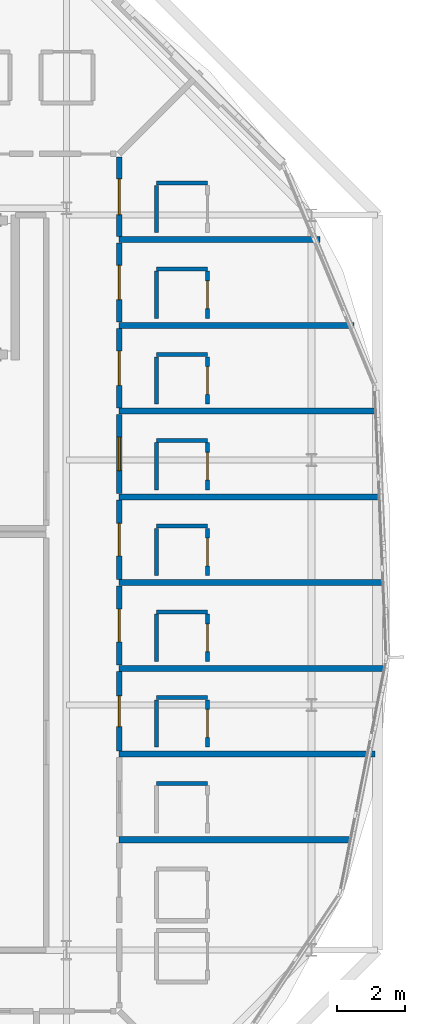
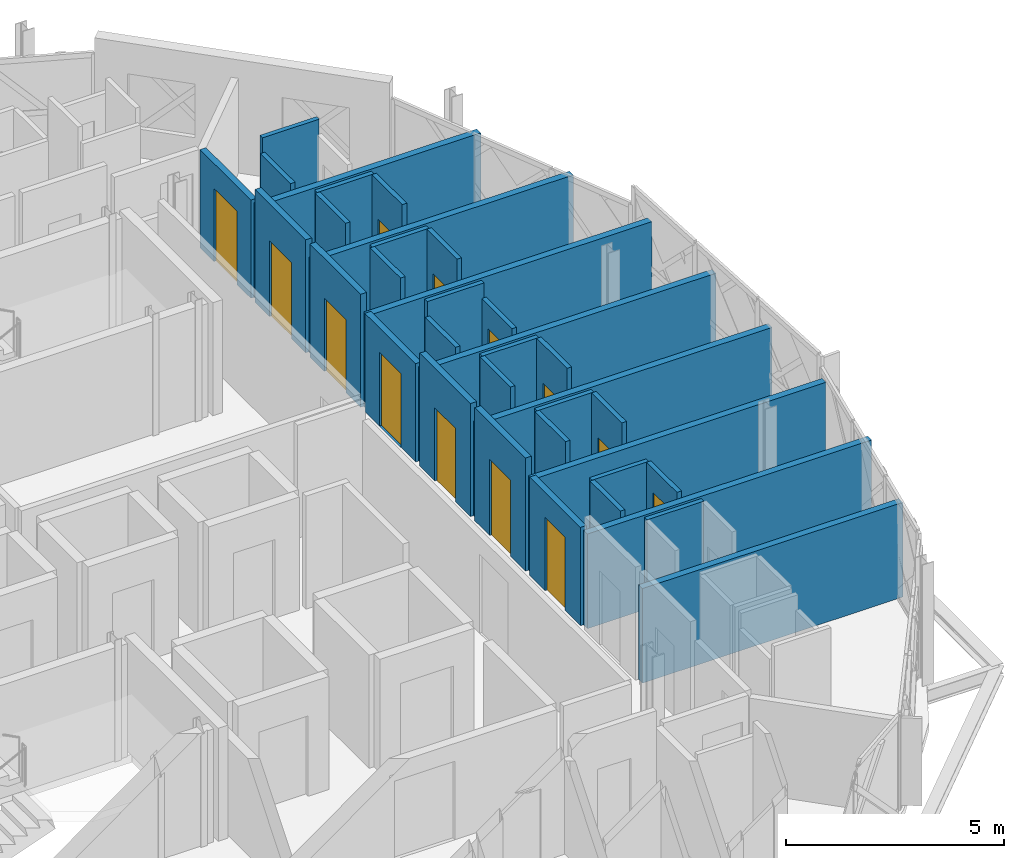
# One storey, part 17 of 24: 36 walls, 13 doors, 13 openings.
"""IFC4 building model written with IfcOpenShell, lengths in metres."""

import ifcopenshell
import ifcopenshell.guid

model = None  # the IFC model being written
_history = None  # IfcOwnerHistory: only IFC2X3 demands one
_inside = {}  # id of a spatial element -> (the spatial element, [elements in it])
_under = {}  # id of a project, library or spatial element -> (it, [spatial elements below it])
_declared = {}  # id of a project -> (the project, [libraries it declares])
_typed = {}  # id of a type object -> (the type object, [elements of that type])
_made_of = {}  # id of a material, layer set ... -> (it, [elements and type objects made of it])


def new_model(schema):
    """Start an empty IFC model of exactly this schema.

    Asked for "IFC4X3", IfcOpenShell would pick the latest addendum, in which some entities
    have other attributes; the version numbers below select the first issue.
    IFC2X3 requires an IfcOwnerHistory on every rooted entity: one is made here for all.
    """
    global model, _history
    if schema == "IFC4X3":
        model = ifcopenshell.file(schema_version=(4, 3, 0, 0))
    else:
        model = ifcopenshell.file(schema=schema)
    _inside.clear()
    _under.clear()
    _declared.clear()
    _typed.clear()
    _made_of.clear()
    _history = None
    if model.schema == "IFC2X3":
        org = make("IfcOrganization", Name="unknown")
        user = make(
            "IfcPersonAndOrganization",
            ThePerson=make("IfcPerson", FamilyName="unknown"),
            TheOrganization=org,
        )
        app = make(
            "IfcApplication",
            ApplicationDeveloper=org,
            Version="unknown",
            ApplicationFullName="unknown",
            ApplicationIdentifier="unknown",
        )
        _history = make(
            "IfcOwnerHistory",
            OwningUser=user,
            OwningApplication=app,
            ChangeAction="ADDED",
            CreationDate=0,
        )
    return model


def make(cls, **values):
    """One entity of the class cls with the attributes given. An attribute that is None is left unset."""
    return model.create_entity(
        cls, **{name: value for name, value in values.items() if value is not None}
    )


def rooted(cls, **values):
    """An entity with a GlobalId (a new one), such as an element, a storey or a relation."""
    return make(cls, GlobalId=ifcopenshell.guid.new(), OwnerHistory=_history, **values)


def si_unit(unit_type, name, prefix=None):
    """IfcSIUnit, for example si_unit("LENGTHUNIT", "METRE", prefix="MILLI")."""
    return make("IfcSIUnit", UnitType=unit_type, Prefix=prefix, Name=name)


def assignment(units):
    """IfcUnitAssignment: the units of a project."""
    return None if units is None else make("IfcUnitAssignment", Units=units)


def point(xyz):
    """IfcCartesianPoint."""
    return None if xyz is None else make("IfcCartesianPoint", Coordinates=xyz)


def direction(xyz):
    """IfcDirection."""
    return None if xyz is None else make("IfcDirection", DirectionRatios=xyz)


def frame(location, z_axis=None, x_axis=None):
    """IfcAxis2Placement3D, a coordinate frame: its origin and axes. An axis left out is left unset."""
    return make(
        "IfcAxis2Placement3D",
        Location=point(location),
        Axis=direction(z_axis),
        RefDirection=direction(x_axis),
    )


def frame_2d(location, x_axis=None):
    """IfcAxis2Placement2D, a coordinate frame in the plane: its origin and x axis."""
    return make(
        "IfcAxis2Placement2D", Location=point(location), RefDirection=direction(x_axis)
    )


def origin():
    """The frame at (0, 0, 0) with its axes left unset."""
    return frame((0.0, 0.0, 0.0))


def place(relative_to, where):
    """IfcLocalPlacement: puts the frame where relative to a parent placement (None: the world)."""
    return make(
        "IfcLocalPlacement", PlacementRelTo=relative_to, RelativePlacement=where
    )


def context(
    kind, dimensions, precision=None, world=None, true_north=None, identifier=None
):
    """IfcGeometricRepresentationContext, for example the 3D "Model" context."""
    return make(
        "IfcGeometricRepresentationContext",
        ContextIdentifier=identifier,
        ContextType=kind,
        CoordinateSpaceDimension=dimensions,
        Precision=precision,
        WorldCoordinateSystem=world,
        TrueNorth=true_north,
    )


def subcontext(parent, identifier, kind, view, scale=None):
    """IfcGeometricRepresentationSubContext, for example "Body" below "Model"."""
    return make(
        "IfcGeometricRepresentationSubContext",
        ContextIdentifier=identifier,
        ContextType=kind,
        ParentContext=parent,
        TargetScale=scale,
        TargetView=view,
    )


def project(units=None, contexts=None):
    """IfcProject with its units and contexts."""
    return rooted(
        "IfcProject",
        Name="project",
        RepresentationContexts=contexts,
        UnitsInContext=assignment(units),
    )


def spatial(cls, under=None, at=None, **own):
    """A site, building, storey or space (cls), placed at a placement, below another one or the project."""
    s = rooted(cls, ObjectPlacement=at, **own)
    if under is not None:
        _under.setdefault(under.id(), (under, []))[1].append(s)
    return s


def profile(cls, at=None, kind="AREA", **sizes):
    """A parametric profile (cls). Its sizes go by their IFC names, for example OverallWidth=200.0."""
    return make(cls, ProfileType=kind, Position=at, **sizes)


def rectangle(**sizes):
    """IfcRectangleProfileDef."""
    return profile("IfcRectangleProfileDef", **sizes)


def extrude(swept, where, along, depth):
    """IfcExtrudedAreaSolid: the profile swept, set in the frame where, extruded along a direction by depth."""
    return make(
        "IfcExtrudedAreaSolid",
        SweptArea=swept,
        Position=where,
        ExtrudedDirection=direction(along),
        Depth=depth,
    )


def shape(context_of_items, identifier, shape_type, items):
    """IfcShapeRepresentation: the items that make up one representation, for example the "Body"."""
    return make(
        "IfcShapeRepresentation",
        ContextOfItems=context_of_items,
        RepresentationIdentifier=identifier,
        RepresentationType=shape_type,
        Items=items,
    )


def material(Name=None, Category=None):
    """IfcMaterial."""
    return make("IfcMaterial", Name=Name, Category=Category)


def layer(
    of_material, thickness, ventilated=None, Name=None, Category=None, Priority=None
):
    """IfcMaterialLayer: one layer of a wall or slab, of a material (None: an air gap)."""
    return make(
        "IfcMaterialLayer",
        Material=of_material,
        LayerThickness=thickness,
        IsVentilated=ventilated,
        Name=Name,
        Category=Category,
        Priority=Priority,
    )


def layer_set(layers, Name=None):
    """IfcMaterialLayerSet."""
    return make("IfcMaterialLayerSet", MaterialLayers=layers, LayerSetName=Name)


def made_of(thing, what):
    """Note that an element or type object is made of a material, layer set ...; save() writes the relation."""
    if what is not None:
        _made_of.setdefault(what.id(), (what, []))[1].append(thing)
    return thing


def type_object(cls, material=None, **own):
    """A type object (cls), such as IfcWallType, which elements share."""
    return made_of(rooted(cls, **own), material)


def element(
    cls,
    number,
    at=None,
    inside=None,
    cuts=None,
    type_object=None,
    material=None,
    context=None,
    identifier="Body",
    shape_type=None,
    held_by="IfcProductDefinitionShape",
    body=None,
    shapes=None,
    **own,
):
    """One element of the class cls, such as IfcWall. Its Tag is "e" and its number.

    at: its placement. inside: the storey or other place that contains it. cuts: it is an
    opening in that element (IfcRelVoidsElement). A single representation is given by context,
    identifier, shape_type and body (its items); several are given by shapes. held_by: the class
    of the entity that holds the representations. save() writes the other relations.
    """
    e = rooted(cls, Tag="e%d" % number, ObjectPlacement=at, **own)
    if body is not None:
        shapes = [shape(context, identifier, shape_type, body)]
    if shapes is not None:
        e.Representation = make(held_by, Representations=shapes)
    if inside is not None:
        _inside.setdefault(inside.id(), (inside, []))[1].append(e)
    if cuts is not None:
        rooted(
            "IfcRelVoidsElement", RelatingBuildingElement=cuts, RelatedOpeningElement=e
        )
    if type_object is not None:
        _typed.setdefault(type_object.id(), (type_object, []))[1].append(e)
    return made_of(e, material)


def fill(opening, filler):
    """IfcRelFillsElement: the door or window that sits in an opening."""
    return rooted(
        "IfcRelFillsElement",
        RelatingOpeningElement=opening,
        RelatedBuildingElement=filler,
    )


def aggregate(whole, parts):
    """IfcRelAggregates: a whole, such as a stair, and the parts it consists of."""
    return rooted("IfcRelAggregates", RelatingObject=whole, RelatedObjects=parts)


def save(model, path):
    """Write the relations noted so far, then the file.

    IfcRelAggregates (storeys below a building ...), IfcRelContainedInSpatialStructure (elements
    in a storey), IfcRelDefinesByType, IfcRelAssociatesMaterial and IfcRelDeclares: one each for
    every whole, place, type object, material and project.
    """
    for whole, parts in _under.values():
        aggregate(whole, parts)
    for where, things in _inside.values():
        rooted(
            "IfcRelContainedInSpatialStructure",
            RelatedElements=things,
            RelatingStructure=where,
        )
    for kind, things in _typed.values():
        rooted("IfcRelDefinesByType", RelatedObjects=things, RelatingType=kind)
    for what, things in _made_of.values():
        rooted("IfcRelAssociatesMaterial", RelatedObjects=things, RelatingMaterial=what)
    for by, libraries in _declared.values():
        rooted("IfcRelDeclares", RelatingContext=by, RelatedDefinitions=libraries)
    model.write(path)


model = new_model("IFC4")

# Units and contexts
model_context = context("Model", 3, precision=1e-05, world=origin(), true_north=direction((0.0, 1.0)))
body_context = subcontext(model_context, "Body", "Model", "MODEL_VIEW")
ifc_project = project(units=[si_unit("LENGTHUNIT", "METRE"), si_unit("AREAUNIT", "SQUARE_METRE"), si_unit("VOLUMEUNIT", "CUBIC_METRE"), si_unit("PLANEANGLEUNIT", "RADIAN"), si_unit("MASSUNIT", "GRAM", prefix="KILO")], contexts=[model_context])

# Site, building, storey
site_placement = place(None, origin())
site = spatial("IfcSite", under=ifc_project, at=site_placement, CompositionType="ELEMENT")
building_placement = place(site_placement, origin())
building = spatial("IfcBuilding", under=site, at=building_placement, Name="Zevrakil Square Congress Hotel", CompositionType="ELEMENT")
storey_placement = place(building_placement, frame((0.0, 0.0, 35.10009765625)))
storey = spatial("IfcBuildingStorey", under=building, at=storey_placement, Name="L10", CompositionType="ELEMENT", Elevation=35.10009765625)

# Wall, opening, door
ifc_material_1 = material(Name="Gypsum Acoustic Stud Partition")
ifc_layer_1 = layer(ifc_material_1, 0.159912109375)
ifc_layer_set_1 = layer_set([ifc_layer_1], Name="Gypsum Acoustic Stud Partition")
wall_type_1 = type_object("IfcWallType", Name="WAL-CORR-160", PredefinedType="PARTITIONING", material=ifc_layer_set_1)
wall_1_placement = place(storey_placement, frame((157.550048828125, 22.655029296875, 0.0), z_axis=(0.0, 0.0, 1.0), x_axis=(0.0, 1.0, 0.0)))
wall_1 = element("IfcWall", 1, at=wall_1_placement, inside=storey, type_object=wall_type_1, Name="L10 interior partition PW-L10-1641", PredefinedType="PARTITIONING", context=body_context, shape_type="SweptSolid", body=[
    extrude(rectangle(XDim=2.330078125, YDim=0.159912109375, at=frame_2d((1.1650390625, 0.0))), origin(), (0.0, 0.0, 1.0), 2.75),
])
opening_1_placement = place(wall_1_placement, frame((0.71240234375, 0.0, 0.0)))
opening_1 = element("IfcOpeningElement", 2, at=opening_1_placement, cuts=wall_1, Name="Opening ID-G03", PredefinedType="OPENING", context=body_context, shape_type="SweptSolid", body=[
    extrude(rectangle(XDim=0.905029296875, YDim=2.050048828125, at=frame_2d((0.45263671875, 1.02490234375))), frame((0.0, 0.08984375, 0.0), z_axis=(0.0, -1.0, 0.0), x_axis=(1.0, 0.0, 0.0)), (0.0, 0.0, 1.0), 0.179931640625),
])
ifc_material_2 = material(Name="Acoustic Timber Fire Door", Category="wood")
door_type_1 = type_object("IfcDoorType", Name="DOR-INT-G03", OperationType="NOTDEFINED", PredefinedType="DOOR", material=ifc_material_2)
door_1_placement = place(opening_1_placement, origin())
door_1 = element("IfcDoor", 3, at=door_1_placement, inside=storey, type_object=door_type_1, Name="L10 interior door 637", OperationType="SINGLE_SWING_LEFT", OverallHeight=2.050048828125, OverallWidth=0.905029296875, PredefinedType="DOOR", context=body_context, shape_type="SweptSolid", body=[
    extrude(rectangle(XDim=0.905029296875, YDim=2.050048828125, at=frame_2d((0.45263671875, 1.02490234375))), frame((0.0, 0.02490234375, 0.0), z_axis=(0.0, -1.0, 0.0), x_axis=(1.0, 0.0, 0.0)), (0.0, 0.0, 1.0), 0.050048828125),
])
fill(opening_1, door_1)

wall_2_placement = place(storey_placement, frame((157.550048828125, 25.175048828125, 0.0), z_axis=(0.0, 0.0, 1.0), x_axis=(0.0, 1.0, 0.0)))
wall_2 = element("IfcWall", 4, at=wall_2_placement, inside=storey, type_object=wall_type_1, Name="L10 interior partition PW-L10-1646", PredefinedType="PARTITIONING", context=body_context, shape_type="SweptSolid", body=[
    extrude(rectangle(XDim=2.329833984375, YDim=0.159912109375, at=frame_2d((1.1650390625, 0.0))), origin(), (0.0, 0.0, 1.0), 3.164794921875),
])
opening_2_placement = place(wall_2_placement, frame((0.68505859375, 0.0, 0.0)))
opening_2 = element("IfcOpeningElement", 5, at=opening_2_placement, cuts=wall_2, Name="Opening ID-H10", PredefinedType="OPENING", context=body_context, shape_type="SweptSolid", body=[
    extrude(rectangle(XDim=0.9599609375, YDim=2.1298828125, at=frame_2d((0.47998046875, 1.06494140625))), frame((0.0, 0.08984375, 0.0), z_axis=(0.0, -1.0, 0.0), x_axis=(1.0, 0.0, 0.0)), (0.0, 0.0, 1.0), 0.179931640625),
])
ifc_material_3 = material(Name="Acoustic Timber Fire Door", Category="wood")
door_type_2 = type_object("IfcDoorType", Name="DOR-INT-H10", OperationType="NOTDEFINED", PredefinedType="DOOR", material=ifc_material_3)
door_2_placement = place(opening_2_placement, origin())
door_2 = element("IfcDoor", 6, at=door_2_placement, inside=storey, type_object=door_type_2, Name="L10 interior door 639", OperationType="SINGLE_SWING_LEFT", OverallHeight=2.1298828125, OverallWidth=0.9599609375, PredefinedType="DOOR", context=body_context, shape_type="SweptSolid", body=[
    extrude(rectangle(XDim=0.9599609375, YDim=2.1298828125, at=frame_2d((0.47998046875, 1.06494140625))), frame((0.0, 0.02490234375, 0.0), z_axis=(0.0, -1.0, 0.0), x_axis=(1.0, 0.0, 0.0)), (0.0, 0.0, 1.0), 0.050048828125),
])
fill(opening_2, door_2)

wall_3_placement = place(storey_placement, frame((157.550048828125, 27.695068359375, 0.0), z_axis=(0.0, 0.0, 1.0), x_axis=(0.0, 1.0, 0.0)))
wall_3 = element("IfcWall", 7, at=wall_3_placement, inside=storey, type_object=wall_type_1, Name="L10 interior partition PW-L10-1651", PredefinedType="PARTITIONING", context=body_context, shape_type="SweptSolid", body=[
    extrude(rectangle(XDim=2.329833984375, YDim=0.159912109375, at=frame_2d((1.1650390625, 0.0))), origin(), (0.0, 0.0, 1.0), 3.164794921875),
])
opening_3_placement = place(wall_3_placement, frame((0.6875, 0.0, 0.0)))
opening_3 = element("IfcOpeningElement", 8, at=opening_3_placement, cuts=wall_3, Name="Opening ID-G05", PredefinedType="OPENING", context=body_context, shape_type="SweptSolid", body=[
    extrude(rectangle(XDim=0.955078125, YDim=2.050048828125, at=frame_2d((0.4775390625, 1.02490234375))), frame((0.0, 0.08984375, 0.0), z_axis=(0.0, -1.0, 0.0), x_axis=(1.0, 0.0, 0.0)), (0.0, 0.0, 1.0), 0.179931640625),
])
ifc_material_4 = material(Name="Acoustic Timber Fire Door", Category="wood")
door_type_3 = type_object("IfcDoorType", Name="DOR-INT-G05", OperationType="NOTDEFINED", PredefinedType="DOOR", material=ifc_material_4)
door_3_placement = place(opening_3_placement, origin())
door_3 = element("IfcDoor", 9, at=door_3_placement, inside=storey, type_object=door_type_3, Name="L10 interior door 641", OperationType="SINGLE_SWING_LEFT", OverallHeight=2.050048828125, OverallWidth=0.955078125, PredefinedType="DOOR", context=body_context, shape_type="SweptSolid", body=[
    extrude(rectangle(XDim=0.955078125, YDim=2.050048828125, at=frame_2d((0.4775390625, 1.02490234375))), frame((0.0, 0.02490234375, 0.0), z_axis=(0.0, -1.0, 0.0), x_axis=(1.0, 0.0, 0.0)), (0.0, 0.0, 1.0), 0.050048828125),
])
fill(opening_3, door_3)

wall_4_placement = place(storey_placement, frame((157.550048828125, 30.215087890625, 0.0), z_axis=(0.0, 0.0, 1.0), x_axis=(0.0, 1.0, 0.0)))
wall_4 = element("IfcWall", 10, at=wall_4_placement, inside=storey, type_object=wall_type_1, Name="L10 interior partition PW-L10-1656", PredefinedType="PARTITIONING", context=body_context, shape_type="SweptSolid", body=[
    extrude(rectangle(XDim=2.329833984375, YDim=0.159912109375, at=frame_2d((1.1650390625, 0.0))), origin(), (0.0, 0.0, 1.0), 2.75),
])
opening_4_placement = place(wall_4_placement, frame((0.673095703125, 0.0, 0.0)))
opening_4 = element("IfcOpeningElement", 11, at=opening_4_placement, cuts=wall_4, Name="Opening ID-H12", PredefinedType="OPENING", context=body_context, shape_type="SweptSolid", body=[
    extrude(rectangle(XDim=0.98388671875, YDim=2.070068359375, at=frame_2d((0.491943359375, 1.03515625))), frame((0.0, 0.08984375, 0.0), z_axis=(0.0, -1.0, 0.0), x_axis=(1.0, 0.0, 0.0)), (0.0, 0.0, 1.0), 0.179931640625),
])
ifc_material_5 = material(Name="Acoustic Timber Fire Door", Category="wood")
door_type_4 = type_object("IfcDoorType", Name="DOR-INT-H12", OperationType="NOTDEFINED", PredefinedType="DOOR", material=ifc_material_5)
door_4_placement = place(opening_4_placement, origin())
door_4 = element("IfcDoor", 12, at=door_4_placement, inside=storey, type_object=door_type_4, Name="L10 interior door 643", OperationType="SINGLE_SWING_LEFT", OverallHeight=2.070068359375, OverallWidth=0.98388671875, PredefinedType="DOOR", context=body_context, shape_type="SweptSolid", body=[
    extrude(rectangle(XDim=0.98388671875, YDim=2.070068359375, at=frame_2d((0.491943359375, 1.03515625))), frame((0.0, 0.02490234375, 0.0), z_axis=(0.0, -1.0, 0.0), x_axis=(1.0, 0.0, 0.0)), (0.0, 0.0, 1.0), 0.050048828125),
])
fill(opening_4, door_4)

wall_5_placement = place(storey_placement, frame((157.550048828125, 32.735107421875, 0.0), z_axis=(0.0, 0.0, 1.0), x_axis=(0.0, 1.0, 0.0)))
wall_5 = element("IfcWall", 13, at=wall_5_placement, inside=storey, type_object=wall_type_1, Name="L10 interior partition PW-L10-1661", PredefinedType="PARTITIONING", context=body_context, shape_type="SweptSolid", body=[
    extrude(rectangle(XDim=2.329833984375, YDim=0.159912109375, at=frame_2d((1.1650390625, 0.0))), origin(), (0.0, 0.0, 1.0), 3.164794921875),
])
opening_5_placement = place(wall_5_placement, frame((0.66259765625, 0.0, 0.0)))
opening_5 = element("IfcOpeningElement", 14, at=opening_5_placement, cuts=wall_5, Name="Opening ID-G07", PredefinedType="OPENING", context=body_context, shape_type="SweptSolid", body=[
    extrude(rectangle(XDim=1.0048828125, YDim=2.050048828125, at=frame_2d((0.50244140625, 1.02490234375))), frame((0.0, 0.08984375, 0.0), z_axis=(0.0, -1.0, 0.0), x_axis=(1.0, 0.0, 0.0)), (0.0, 0.0, 1.0), 0.179931640625),
])
ifc_material_6 = material(Name="Acoustic Timber Fire Door", Category="wood")
door_type_5 = type_object("IfcDoorType", Name="DOR-INT-G07", OperationType="NOTDEFINED", PredefinedType="DOOR", material=ifc_material_6)
door_5_placement = place(opening_5_placement, origin())
door_5 = element("IfcDoor", 15, at=door_5_placement, inside=storey, type_object=door_type_5, Name="L10 interior door 645", OperationType="SINGLE_SWING_LEFT", OverallHeight=2.050048828125, OverallWidth=1.0048828125, PredefinedType="DOOR", context=body_context, shape_type="SweptSolid", body=[
    extrude(rectangle(XDim=1.0048828125, YDim=2.050048828125, at=frame_2d((0.50244140625, 1.02490234375))), frame((0.0, 0.02490234375, 0.0), z_axis=(0.0, -1.0, 0.0), x_axis=(1.0, 0.0, 0.0)), (0.0, 0.0, 1.0), 0.050048828125),
])
fill(opening_5, door_5)

wall_6_placement = place(storey_placement, frame((157.550048828125, 35.2548828125, 0.0), z_axis=(0.0, 0.0, 1.0), x_axis=(0.0, 1.0, 0.0)))
wall_6 = element("IfcWall", 16, at=wall_6_placement, inside=storey, type_object=wall_type_1, Name="L10 interior partition PW-L10-1666", PredefinedType="PARTITIONING", context=body_context, shape_type="SweptSolid", body=[
    extrude(rectangle(XDim=2.330078125, YDim=0.159912109375, at=frame_2d((1.1650390625, 0.0))), origin(), (0.0, 0.0, 1.0), 3.164794921875),
])
opening_6_placement = place(wall_6_placement, frame((0.660888671875, 0.0, 0.0)))
opening_6 = element("IfcOpeningElement", 17, at=opening_6_placement, cuts=wall_6, Name="Opening ID-H14", PredefinedType="OPENING", context=body_context, shape_type="SweptSolid", body=[
    extrude(rectangle(XDim=1.008056640625, YDim=2.1298828125, at=frame_2d((0.50390625, 1.06494140625))), frame((0.0, 0.08984375, 0.0), z_axis=(0.0, -1.0, 0.0), x_axis=(1.0, 0.0, 0.0)), (0.0, 0.0, 1.0), 0.179931640625),
])
ifc_material_7 = material(Name="Acoustic Timber Fire Door", Category="wood")
door_type_6 = type_object("IfcDoorType", Name="DOR-INT-H14", OperationType="NOTDEFINED", PredefinedType="DOOR", material=ifc_material_7)
door_6_placement = place(opening_6_placement, origin())
door_6 = element("IfcDoor", 18, at=door_6_placement, inside=storey, type_object=door_type_6, Name="L10 interior door 647", OperationType="SINGLE_SWING_LEFT", OverallHeight=2.1298828125, OverallWidth=1.008056640625, PredefinedType="DOOR", context=body_context, shape_type="SweptSolid", body=[
    extrude(rectangle(XDim=1.008056640625, YDim=2.1298828125, at=frame_2d((0.50390625, 1.06494140625))), frame((0.0, 0.02490234375, 0.0), z_axis=(0.0, -1.0, 0.0), x_axis=(1.0, 0.0, 0.0)), (0.0, 0.0, 1.0), 0.050048828125),
])
fill(opening_6, door_6)

wall_7_placement = place(storey_placement, frame((157.550048828125, 37.77490234375, 0.0), z_axis=(0.0, 0.0, 1.0), x_axis=(0.0, 1.0, 0.0)))
wall_7 = element("IfcWall", 19, at=wall_7_placement, inside=storey, type_object=wall_type_1, Name="L10 interior partition PW-L10-1671", PredefinedType="PARTITIONING", context=body_context, shape_type="SweptSolid", body=[
    extrude(rectangle(XDim=2.330078125, YDim=0.159912109375, at=frame_2d((1.1650390625, 0.0))), origin(), (0.0, 0.0, 1.0), 2.75),
])
opening_7_placement = place(wall_7_placement, frame((0.637451171875, 0.0, 0.0)))
opening_7 = element("IfcOpeningElement", 20, at=opening_7_placement, cuts=wall_7, Name="Opening ID-G09", PredefinedType="OPENING", context=body_context, shape_type="SweptSolid", body=[
    extrude(rectangle(XDim=1.054931640625, YDim=2.050048828125, at=frame_2d((0.52734375, 1.02490234375))), frame((0.0, 0.08984375, 0.0), z_axis=(0.0, -1.0, 0.0), x_axis=(1.0, 0.0, 0.0)), (0.0, 0.0, 1.0), 0.179931640625),
])
ifc_material_8 = material(Name="Acoustic Timber Fire Door", Category="wood")
door_type_7 = type_object("IfcDoorType", Name="DOR-INT-G09", OperationType="NOTDEFINED", PredefinedType="DOOR", material=ifc_material_8)
door_7_placement = place(opening_7_placement, origin())
door_7 = element("IfcDoor", 21, at=door_7_placement, inside=storey, type_object=door_type_7, Name="L10 interior door 649", OperationType="SINGLE_SWING_LEFT", OverallHeight=2.050048828125, OverallWidth=1.054931640625, PredefinedType="DOOR", context=body_context, shape_type="SweptSolid", body=[
    extrude(rectangle(XDim=1.054931640625, YDim=2.050048828125, at=frame_2d((0.52734375, 1.02490234375))), frame((0.0, 0.02490234375, 0.0), z_axis=(0.0, -1.0, 0.0), x_axis=(1.0, 0.0, 0.0)), (0.0, 0.0, 1.0), 0.050048828125),
])
fill(opening_7, door_7)

# Walls
ifc_material_9 = material(Name="Moisture-Resistant Gypsum Partition")
ifc_layer_2 = layer(ifc_material_9, 0.1201171875)
ifc_layer_set_2 = layer_set([ifc_layer_2], Name="Moisture-Resistant Gypsum Partition")
wall_type_2 = type_object("IfcWallType", Name="WAL-ENS-120", PredefinedType="PARTITIONING", material=ifc_layer_set_2)
wall_8_placement = place(storey_placement, frame((158.64990234375, 21.699951171875, 0.0), z_axis=(0.0, 0.0, 1.0), x_axis=(1.0, 0.0, 0.0)))
element("IfcWall", 22, at=wall_8_placement, inside=storey, type_object=wall_type_2, Name="L10 interior partition PW-L10-1637", PredefinedType="PARTITIONING", context=body_context, shape_type="SweptSolid", body=[
    extrude(rectangle(XDim=1.5, YDim=0.1201171875, at=frame_2d((0.75, 0.0))), origin(), (0.0, 0.0, 1.0), 3.164794921875),
])
wall_9_placement = place(storey_placement, frame((158.64990234375, 24.219970703125, 0.0), z_axis=(0.0, 0.0, 1.0), x_axis=(1.0, 0.0, 0.0)))
element("IfcWall", 23, at=wall_9_placement, inside=storey, type_object=wall_type_2, Name="L10 interior partition PW-L10-1642", PredefinedType="PARTITIONING", context=body_context, shape_type="SweptSolid", body=[
    extrude(rectangle(XDim=1.5, YDim=0.1201171875, at=frame_2d((0.75, 0.0))), origin(), (0.0, 0.0, 1.0), 2.75),
])
wall_10_placement = place(storey_placement, frame((158.64990234375, 22.764892578125, 0.0), z_axis=(0.0, 0.0, 1.0), x_axis=(0.0, 1.0, 0.0)))
element("IfcWall", 24, at=wall_10_placement, inside=storey, type_object=wall_type_2, Name="L10 interior partition PW-L10-1643", PredefinedType="PARTITIONING", context=body_context, shape_type="SweptSolid", body=[
    extrude(rectangle(XDim=1.39013671875, YDim=0.1201171875, at=frame_2d((0.695068359375, 0.0))), origin(), (0.0, 0.0, 1.0), 2.75),
])

# Wall, opening, door
wall_11_placement = place(storey_placement, frame((160.14990234375, 22.764892578125, 0.0), z_axis=(0.0, 0.0, 1.0), x_axis=(0.0, 1.0, 0.0)))
wall_11 = element("IfcWall", 25, at=wall_11_placement, inside=storey, type_object=wall_type_2, Name="L10 interior partition PW-L10-1644", PredefinedType="PARTITIONING", context=body_context, shape_type="SweptSolid", body=[
    extrude(rectangle(XDim=1.39013671875, YDim=0.1201171875, at=frame_2d((0.695068359375, 0.0))), origin(), (0.0, 0.0, 1.0), 2.75),
])
opening_8_placement = place(wall_11_placement, frame((0.284912109375, 0.0, 0.0)))
opening_8 = element("IfcOpeningElement", 26, at=opening_8_placement, cuts=wall_11, Name="Opening ID-11", PredefinedType="OPENING", context=body_context, shape_type="SweptSolid", body=[
    extrude(rectangle(XDim=0.820068359375, YDim=2.080078125, at=frame_2d((0.41015625, 1.0400390625))), frame((0.0, 0.070068359375, 0.0), z_axis=(0.0, -1.0, 0.0), x_axis=(1.0, 0.0, 0.0)), (0.0, 0.0, 1.0), 0.14013671875),
])
ifc_material_10 = material(Name="Acoustic Timber Door", Category="wood")
door_type_8 = type_object("IfcDoorType", Name="DOR-INT-V01", OperationType="NOTDEFINED", PredefinedType="DOOR", material=ifc_material_10)
door_8_placement = place(opening_8_placement, origin())
door_8 = element("IfcDoor", 27, at=door_8_placement, inside=storey, type_object=door_type_8, Name="L10 interior door 638", OperationType="SINGLE_SWING_RIGHT", OverallHeight=2.080078125, OverallWidth=0.820068359375, PredefinedType="DOOR", context=body_context, shape_type="SweptSolid", body=[
    extrude(rectangle(XDim=0.820068359375, YDim=2.080078125, at=frame_2d((0.41015625, 1.0400390625))), frame((0.0, 0.02490234375, 0.0), z_axis=(0.0, -1.0, 0.0), x_axis=(1.0, 0.0, 0.0)), (0.0, 0.0, 1.0), 0.050048828125),
])
fill(opening_8, door_8)

# Walls
wall_12_placement = place(storey_placement, frame((158.64990234375, 26.739990234375, 0.0), z_axis=(0.0, 0.0, 1.0), x_axis=(1.0, 0.0, 0.0)))
element("IfcWall", 28, at=wall_12_placement, inside=storey, type_object=wall_type_2, Name="L10 interior partition PW-L10-1647", PredefinedType="PARTITIONING", context=body_context, shape_type="SweptSolid", body=[
    extrude(rectangle(XDim=1.5, YDim=0.1201171875, at=frame_2d((0.75, 0.0))), origin(), (0.0, 0.0, 1.0), 3.164794921875),
])
wall_13_placement = place(storey_placement, frame((158.64990234375, 25.284912109375, 0.0), z_axis=(0.0, 0.0, 1.0), x_axis=(0.0, 1.0, 0.0)))
element("IfcWall", 29, at=wall_13_placement, inside=storey, type_object=wall_type_2, Name="L10 interior partition PW-L10-1648", PredefinedType="PARTITIONING", context=body_context, shape_type="SweptSolid", body=[
    extrude(rectangle(XDim=1.39013671875, YDim=0.1201171875, at=frame_2d((0.695068359375, 0.0))), origin(), (0.0, 0.0, 1.0), 3.164794921875),
])

# Wall, opening, door
wall_14_placement = place(storey_placement, frame((160.14990234375, 25.284912109375, 0.0), z_axis=(0.0, 0.0, 1.0), x_axis=(0.0, 1.0, 0.0)))
wall_14 = element("IfcWall", 30, at=wall_14_placement, inside=storey, type_object=wall_type_2, Name="L10 interior partition PW-L10-1649", PredefinedType="PARTITIONING", context=body_context, shape_type="SweptSolid", body=[
    extrude(rectangle(XDim=1.39013671875, YDim=0.1201171875, at=frame_2d((0.695068359375, 0.0))), origin(), (0.0, 0.0, 1.0), 3.164794921875),
])
opening_9_placement = place(wall_14_placement, frame((0.284912109375, 0.0, 0.0)))
opening_9 = element("IfcOpeningElement", 31, at=opening_9_placement, cuts=wall_14, Name="Opening ID-11", PredefinedType="OPENING", context=body_context, shape_type="SweptSolid", body=[
    extrude(rectangle(XDim=0.820068359375, YDim=2.080078125, at=frame_2d((0.41015625, 1.0400390625))), frame((0.0, 0.070068359375, 0.0), z_axis=(0.0, -1.0, 0.0), x_axis=(1.0, 0.0, 0.0)), (0.0, 0.0, 1.0), 0.14013671875),
])
door_9_placement = place(opening_9_placement, origin())
door_9 = element("IfcDoor", 32, at=door_9_placement, inside=storey, type_object=door_type_8, Name="L10 interior door 640", OperationType="SINGLE_SWING_RIGHT", OverallHeight=2.080078125, OverallWidth=0.820068359375, PredefinedType="DOOR", context=body_context, shape_type="SweptSolid", body=[
    extrude(rectangle(XDim=0.820068359375, YDim=2.080078125, at=frame_2d((0.41015625, 1.0400390625))), frame((0.0, 0.02490234375, 0.0), z_axis=(0.0, -1.0, 0.0), x_axis=(1.0, 0.0, 0.0)), (0.0, 0.0, 1.0), 0.050048828125),
])
fill(opening_9, door_9)

# Walls
wall_15_placement = place(storey_placement, frame((158.64990234375, 29.260009765625, 0.0), z_axis=(0.0, 0.0, 1.0), x_axis=(1.0, 0.0, 0.0)))
element("IfcWall", 33, at=wall_15_placement, inside=storey, type_object=wall_type_2, Name="L10 interior partition PW-L10-1652", PredefinedType="PARTITIONING", context=body_context, shape_type="SweptSolid", body=[
    extrude(rectangle(XDim=1.5, YDim=0.1201171875, at=frame_2d((0.75, 0.0))), origin(), (0.0, 0.0, 1.0), 3.164794921875),
])
wall_16_placement = place(storey_placement, frame((158.64990234375, 27.804931640625, 0.0), z_axis=(0.0, 0.0, 1.0), x_axis=(0.0, 1.0, 0.0)))
element("IfcWall", 34, at=wall_16_placement, inside=storey, type_object=wall_type_2, Name="L10 interior partition PW-L10-1653", PredefinedType="PARTITIONING", context=body_context, shape_type="SweptSolid", body=[
    extrude(rectangle(XDim=1.39013671875, YDim=0.1201171875, at=frame_2d((0.695068359375, 0.0))), origin(), (0.0, 0.0, 1.0), 3.164794921875),
])

# Wall, opening, door
wall_17_placement = place(storey_placement, frame((160.14990234375, 27.804931640625, 0.0), z_axis=(0.0, 0.0, 1.0), x_axis=(0.0, 1.0, 0.0)))
wall_17 = element("IfcWall", 35, at=wall_17_placement, inside=storey, type_object=wall_type_2, Name="L10 interior partition PW-L10-1654", PredefinedType="PARTITIONING", context=body_context, shape_type="SweptSolid", body=[
    extrude(rectangle(XDim=1.39013671875, YDim=0.1201171875, at=frame_2d((0.695068359375, 0.0))), origin(), (0.0, 0.0, 1.0), 3.164794921875),
])
opening_10_placement = place(wall_17_placement, frame((0.284912109375, 0.0, 0.0)))
opening_10 = element("IfcOpeningElement", 36, at=opening_10_placement, cuts=wall_17, Name="Opening ID-11", PredefinedType="OPENING", context=body_context, shape_type="SweptSolid", body=[
    extrude(rectangle(XDim=0.820068359375, YDim=2.080078125, at=frame_2d((0.41015625, 1.0400390625))), frame((0.0, 0.070068359375, 0.0), z_axis=(0.0, -1.0, 0.0), x_axis=(1.0, 0.0, 0.0)), (0.0, 0.0, 1.0), 0.14013671875),
])
door_10_placement = place(opening_10_placement, origin())
door_10 = element("IfcDoor", 37, at=door_10_placement, inside=storey, type_object=door_type_8, Name="L10 interior door 642", OperationType="SINGLE_SWING_RIGHT", OverallHeight=2.080078125, OverallWidth=0.820068359375, PredefinedType="DOOR", context=body_context, shape_type="SweptSolid", body=[
    extrude(rectangle(XDim=0.820068359375, YDim=2.080078125, at=frame_2d((0.41015625, 1.0400390625))), frame((0.0, 0.02490234375, 0.0), z_axis=(0.0, -1.0, 0.0), x_axis=(1.0, 0.0, 0.0)), (0.0, 0.0, 1.0), 0.050048828125),
])
fill(opening_10, door_10)

# Walls
wall_18_placement = place(storey_placement, frame((158.64990234375, 31.780029296875, 0.0), z_axis=(0.0, 0.0, 1.0), x_axis=(1.0, 0.0, 0.0)))
element("IfcWall", 38, at=wall_18_placement, inside=storey, type_object=wall_type_2, Name="L10 interior partition PW-L10-1657", PredefinedType="PARTITIONING", context=body_context, shape_type="SweptSolid", body=[
    extrude(rectangle(XDim=1.5, YDim=0.1201171875, at=frame_2d((0.75, 0.0))), origin(), (0.0, 0.0, 1.0), 3.164794921875),
])
wall_19_placement = place(storey_placement, frame((158.64990234375, 30.324951171875, 0.0), z_axis=(0.0, 0.0, 1.0), x_axis=(0.0, 1.0, 0.0)))
element("IfcWall", 39, at=wall_19_placement, inside=storey, type_object=wall_type_2, Name="L10 interior partition PW-L10-1658", PredefinedType="PARTITIONING", context=body_context, shape_type="SweptSolid", body=[
    extrude(rectangle(XDim=1.39013671875, YDim=0.1201171875, at=frame_2d((0.695068359375, 0.0))), origin(), (0.0, 0.0, 1.0), 2.75),
])

# Wall, opening, door
wall_20_placement = place(storey_placement, frame((160.14990234375, 30.324951171875, 0.0), z_axis=(0.0, 0.0, 1.0), x_axis=(0.0, 1.0, 0.0)))
wall_20 = element("IfcWall", 40, at=wall_20_placement, inside=storey, type_object=wall_type_2, Name="L10 interior partition PW-L10-1659", PredefinedType="PARTITIONING", context=body_context, shape_type="SweptSolid", body=[
    extrude(rectangle(XDim=1.39013671875, YDim=0.1201171875, at=frame_2d((0.695068359375, 0.0))), origin(), (0.0, 0.0, 1.0), 2.75),
])
opening_11_placement = place(wall_20_placement, frame((0.284912109375, 0.0, 0.0)))
opening_11 = element("IfcOpeningElement", 41, at=opening_11_placement, cuts=wall_20, Name="Opening ID-11", PredefinedType="OPENING", context=body_context, shape_type="SweptSolid", body=[
    extrude(rectangle(XDim=0.820068359375, YDim=2.080078125, at=frame_2d((0.41015625, 1.0400390625))), frame((0.0, 0.070068359375, 0.0), z_axis=(0.0, -1.0, 0.0), x_axis=(1.0, 0.0, 0.0)), (0.0, 0.0, 1.0), 0.14013671875),
])
door_11_placement = place(opening_11_placement, origin())
door_11 = element("IfcDoor", 42, at=door_11_placement, inside=storey, type_object=door_type_8, Name="L10 interior door 644", OperationType="SINGLE_SWING_RIGHT", OverallHeight=2.080078125, OverallWidth=0.820068359375, PredefinedType="DOOR", context=body_context, shape_type="SweptSolid", body=[
    extrude(rectangle(XDim=0.820068359375, YDim=2.080078125, at=frame_2d((0.41015625, 1.0400390625))), frame((0.0, 0.02490234375, 0.0), z_axis=(0.0, -1.0, 0.0), x_axis=(1.0, 0.0, 0.0)), (0.0, 0.0, 1.0), 0.050048828125),
])
fill(opening_11, door_11)

# Walls
wall_21_placement = place(storey_placement, frame((158.64990234375, 34.300048828125, 0.0), z_axis=(0.0, 0.0, 1.0), x_axis=(1.0, 0.0, 0.0)))
element("IfcWall", 43, at=wall_21_placement, inside=storey, type_object=wall_type_2, Name="L10 interior partition PW-L10-1662", PredefinedType="PARTITIONING", context=body_context, shape_type="SweptSolid", body=[
    extrude(rectangle(XDim=1.5, YDim=0.1201171875, at=frame_2d((0.75, 0.0))), origin(), (0.0, 0.0, 1.0), 3.164794921875),
])
wall_22_placement = place(storey_placement, frame((158.64990234375, 32.844970703125, 0.0), z_axis=(0.0, 0.0, 1.0), x_axis=(0.0, 1.0, 0.0)))
element("IfcWall", 44, at=wall_22_placement, inside=storey, type_object=wall_type_2, Name="L10 interior partition PW-L10-1663", PredefinedType="PARTITIONING", context=body_context, shape_type="SweptSolid", body=[
    extrude(rectangle(XDim=1.39013671875, YDim=0.1201171875, at=frame_2d((0.695068359375, 0.0))), origin(), (0.0, 0.0, 1.0), 3.164794921875),
])

# Wall, opening, door
wall_23_placement = place(storey_placement, frame((160.14990234375, 32.844970703125, 0.0), z_axis=(0.0, 0.0, 1.0), x_axis=(0.0, 1.0, 0.0)))
wall_23 = element("IfcWall", 45, at=wall_23_placement, inside=storey, type_object=wall_type_2, Name="L10 interior partition PW-L10-1664", PredefinedType="PARTITIONING", context=body_context, shape_type="SweptSolid", body=[
    extrude(rectangle(XDim=1.39013671875, YDim=0.1201171875, at=frame_2d((0.695068359375, 0.0))), origin(), (0.0, 0.0, 1.0), 3.164794921875),
])
opening_12_placement = place(wall_23_placement, frame((0.284912109375, 0.0, 0.0)))
opening_12 = element("IfcOpeningElement", 46, at=opening_12_placement, cuts=wall_23, Name="Opening ID-11", PredefinedType="OPENING", context=body_context, shape_type="SweptSolid", body=[
    extrude(rectangle(XDim=0.820068359375, YDim=2.080078125, at=frame_2d((0.41015625, 1.0400390625))), frame((0.0, 0.070068359375, 0.0), z_axis=(0.0, -1.0, 0.0), x_axis=(1.0, 0.0, 0.0)), (0.0, 0.0, 1.0), 0.14013671875),
])
door_12_placement = place(opening_12_placement, origin())
door_12 = element("IfcDoor", 47, at=door_12_placement, inside=storey, type_object=door_type_8, Name="L10 interior door 646", OperationType="SINGLE_SWING_RIGHT", OverallHeight=2.080078125, OverallWidth=0.820068359375, PredefinedType="DOOR", context=body_context, shape_type="SweptSolid", body=[
    extrude(rectangle(XDim=0.820068359375, YDim=2.080078125, at=frame_2d((0.41015625, 1.0400390625))), frame((0.0, 0.02490234375, 0.0), z_axis=(0.0, -1.0, 0.0), x_axis=(1.0, 0.0, 0.0)), (0.0, 0.0, 1.0), 0.050048828125),
])
fill(opening_12, door_12)

# Walls
wall_24_placement = place(storey_placement, frame((158.64990234375, 36.820068359375, 0.0), z_axis=(0.0, 0.0, 1.0), x_axis=(1.0, 0.0, 0.0)))
element("IfcWall", 48, at=wall_24_placement, inside=storey, type_object=wall_type_2, Name="L10 interior partition PW-L10-1667", PredefinedType="PARTITIONING", context=body_context, shape_type="SweptSolid", body=[
    extrude(rectangle(XDim=1.5, YDim=0.1201171875, at=frame_2d((0.75, 0.0))), origin(), (0.0, 0.0, 1.0), 3.164794921875),
])
wall_25_placement = place(storey_placement, frame((158.64990234375, 35.364990234375, 0.0), z_axis=(0.0, 0.0, 1.0), x_axis=(0.0, 1.0, 0.0)))
element("IfcWall", 49, at=wall_25_placement, inside=storey, type_object=wall_type_2, Name="L10 interior partition PW-L10-1668", PredefinedType="PARTITIONING", context=body_context, shape_type="SweptSolid", body=[
    extrude(rectangle(XDim=1.389892578125, YDim=0.1201171875, at=frame_2d((0.69482421875, 0.0))), origin(), (0.0, 0.0, 1.0), 3.164794921875),
])

# Wall, opening, door
wall_26_placement = place(storey_placement, frame((160.14990234375, 35.364990234375, 0.0), z_axis=(0.0, 0.0, 1.0), x_axis=(0.0, 1.0, 0.0)))
wall_26 = element("IfcWall", 50, at=wall_26_placement, inside=storey, type_object=wall_type_2, Name="L10 interior partition PW-L10-1669", PredefinedType="PARTITIONING", context=body_context, shape_type="SweptSolid", body=[
    extrude(rectangle(XDim=1.389892578125, YDim=0.1201171875, at=frame_2d((0.69482421875, 0.0))), origin(), (0.0, 0.0, 1.0), 3.164794921875),
])
opening_13_placement = place(wall_26_placement, frame((0.284912109375, 0.0, 0.0)))
opening_13 = element("IfcOpeningElement", 51, at=opening_13_placement, cuts=wall_26, Name="Opening ID-11", PredefinedType="OPENING", context=body_context, shape_type="SweptSolid", body=[
    extrude(rectangle(XDim=0.820068359375, YDim=2.080078125, at=frame_2d((0.41015625, 1.0400390625))), frame((0.0, 0.070068359375, 0.0), z_axis=(0.0, -1.0, 0.0), x_axis=(1.0, 0.0, 0.0)), (0.0, 0.0, 1.0), 0.14013671875),
])
door_13_placement = place(opening_13_placement, origin())
door_13 = element("IfcDoor", 52, at=door_13_placement, inside=storey, type_object=door_type_8, Name="L10 interior door 648", OperationType="SINGLE_SWING_RIGHT", OverallHeight=2.080078125, OverallWidth=0.820068359375, PredefinedType="DOOR", context=body_context, shape_type="SweptSolid", body=[
    extrude(rectangle(XDim=0.820068359375, YDim=2.080078125, at=frame_2d((0.41015625, 1.0400390625))), frame((0.0, 0.02490234375, 0.0), z_axis=(0.0, -1.0, 0.0), x_axis=(1.0, 0.0, 0.0)), (0.0, 0.0, 1.0), 0.050048828125),
])
fill(opening_13, door_13)

# Walls
wall_27_placement = place(storey_placement, frame((158.64990234375, 39.340087890625, 0.0), z_axis=(0.0, 0.0, 1.0), x_axis=(1.0, 0.0, 0.0)))
element("IfcWall", 53, at=wall_27_placement, inside=storey, type_object=wall_type_2, Name="L10 interior partition PW-L10-1672", PredefinedType="PARTITIONING", context=body_context, shape_type="SweptSolid", body=[
    extrude(rectangle(XDim=1.5, YDim=0.1201171875, at=frame_2d((0.75, 0.0))), origin(), (0.0, 0.0, 1.0), 3.164794921875),
])
wall_28_placement = place(storey_placement, frame((158.64990234375, 37.885009765625, 0.0), z_axis=(0.0, 0.0, 1.0), x_axis=(0.0, 1.0, 0.0)))
element("IfcWall", 54, at=wall_28_placement, inside=storey, type_object=wall_type_2, Name="L10 interior partition PW-L10-1673", PredefinedType="PARTITIONING", context=body_context, shape_type="SweptSolid", body=[
    extrude(rectangle(XDim=1.389892578125, YDim=0.1201171875, at=frame_2d((0.69482421875, 0.0))), origin(), (0.0, 0.0, 1.0), 2.75),
])
ifc_material_11 = material(Name="Gypsum Twin-Stud Party Partition")
ifc_layer_3 = layer(ifc_material_11, 0.179931640625)
ifc_layer_set_3 = layer_set([ifc_layer_3], Name="Gypsum Twin-Stud Party Partition")
wall_type_3 = type_object("IfcWallType", Name="WAL-PARTY-180", PredefinedType="PARTITIONING", material=ifc_layer_set_3)
wall_29_placement = place(storey_placement, frame((157.550048828125, 20.0400390625, 0.0), z_axis=(0.0, 0.0, 1.0), x_axis=(1.0, 0.0, 0.0)))
element("IfcWall", 55, at=wall_29_placement, inside=storey, type_object=wall_type_3, Name="L10 interior partition PW-L10-1635", PredefinedType="PARTITIONING", context=body_context, shape_type="SweptSolid", body=[
    extrude(rectangle(XDim=6.899169921875, YDim=0.179931640625, at=frame_2d((3.44970703125, 0.0))), origin(), (0.0, 0.0, 1.0), 2.64990234375),
])
wall_30_placement = place(storey_placement, frame((157.550048828125, 22.56005859375, 0.0), z_axis=(0.0, 0.0, 1.0), x_axis=(1.0, 0.0, 0.0)))
element("IfcWall", 56, at=wall_30_placement, inside=storey, type_object=wall_type_3, Name="L10 interior partition PW-L10-1640", PredefinedType="PARTITIONING", context=body_context, shape_type="SweptSolid", body=[
    extrude(rectangle(XDim=7.5244140625, YDim=0.179931640625, at=frame_2d((3.76220703125, 0.0))), origin(), (0.0, 0.0, 1.0), 2.64990234375),
])
wall_31_placement = place(storey_placement, frame((157.550048828125, 25.080078125, 0.0), z_axis=(0.0, 0.0, 1.0), x_axis=(1.0, 0.0, 0.0)))
element("IfcWall", 57, at=wall_31_placement, inside=storey, type_object=wall_type_3, Name="L10 interior partition PW-L10-1645", PredefinedType="PARTITIONING", context=body_context, shape_type="SweptSolid", body=[
    extrude(rectangle(XDim=7.772705078125, YDim=0.179931640625, at=frame_2d((3.88623046875, 0.0))), origin(), (0.0, 0.0, 1.0), 2.64990234375),
])
wall_32_placement = place(storey_placement, frame((157.550048828125, 27.60009765625, 0.0), z_axis=(0.0, 0.0, 1.0), x_axis=(1.0, 0.0, 0.0)))
element("IfcWall", 58, at=wall_32_placement, inside=storey, type_object=wall_type_3, Name="L10 interior partition PW-L10-1650", PredefinedType="PARTITIONING", context=body_context, shape_type="SweptSolid", body=[
    extrude(rectangle(XDim=7.802001953125, YDim=0.179931640625, at=frame_2d((3.90087890625, 0.0))), origin(), (0.0, 0.0, 1.0), 2.64990234375),
])
wall_33_placement = place(storey_placement, frame((157.550048828125, 30.1201171875, 0.0), z_axis=(0.0, 0.0, 1.0), x_axis=(1.0, 0.0, 0.0)))
element("IfcWall", 59, at=wall_33_placement, inside=storey, type_object=wall_type_3, Name="L10 interior partition PW-L10-1655", PredefinedType="PARTITIONING", context=body_context, shape_type="SweptSolid", body=[
    extrude(rectangle(XDim=7.772705078125, YDim=0.179931640625, at=frame_2d((3.88623046875, 0.0))), origin(), (0.0, 0.0, 1.0), 2.64990234375),
])
wall_34_placement = place(storey_placement, frame((157.550048828125, 32.639892578125, 0.0), z_axis=(0.0, 0.0, 1.0), x_axis=(1.0, 0.0, 0.0)))
element("IfcWall", 60, at=wall_34_placement, inside=storey, type_object=wall_type_3, Name="L10 interior partition PW-L10-1660", PredefinedType="PARTITIONING", context=body_context, shape_type="SweptSolid", body=[
    extrude(rectangle(XDim=7.5244140625, YDim=0.179931640625, at=frame_2d((3.76220703125, 0.0))), origin(), (0.0, 0.0, 1.0), 2.64990234375),
])
wall_35_placement = place(storey_placement, frame((157.550048828125, 35.159912109375, 0.0), z_axis=(0.0, 0.0, 1.0), x_axis=(1.0, 0.0, 0.0)))
element("IfcWall", 61, at=wall_35_placement, inside=storey, type_object=wall_type_3, Name="L10 interior partition PW-L10-1665", PredefinedType="PARTITIONING", context=body_context, shape_type="SweptSolid", body=[
    extrude(rectangle(XDim=6.899169921875, YDim=0.179931640625, at=frame_2d((3.44970703125, 0.0))), origin(), (0.0, 0.0, 1.0), 2.64990234375),
])
wall_36_placement = place(storey_placement, frame((157.550048828125, 37.679931640625, 0.0), z_axis=(0.0, 0.0, 1.0), x_axis=(1.0, 0.0, 0.0)))
element("IfcWall", 62, at=wall_36_placement, inside=storey, type_object=wall_type_3, Name="L10 interior partition PW-L10-1670", PredefinedType="PARTITIONING", context=body_context, shape_type="SweptSolid", body=[
    extrude(rectangle(XDim=5.904541015625, YDim=0.179931640625, at=frame_2d((2.9521484375, 0.0))), origin(), (0.0, 0.0, 1.0), 2.64990234375),
])

save(model, "model.ifc")
